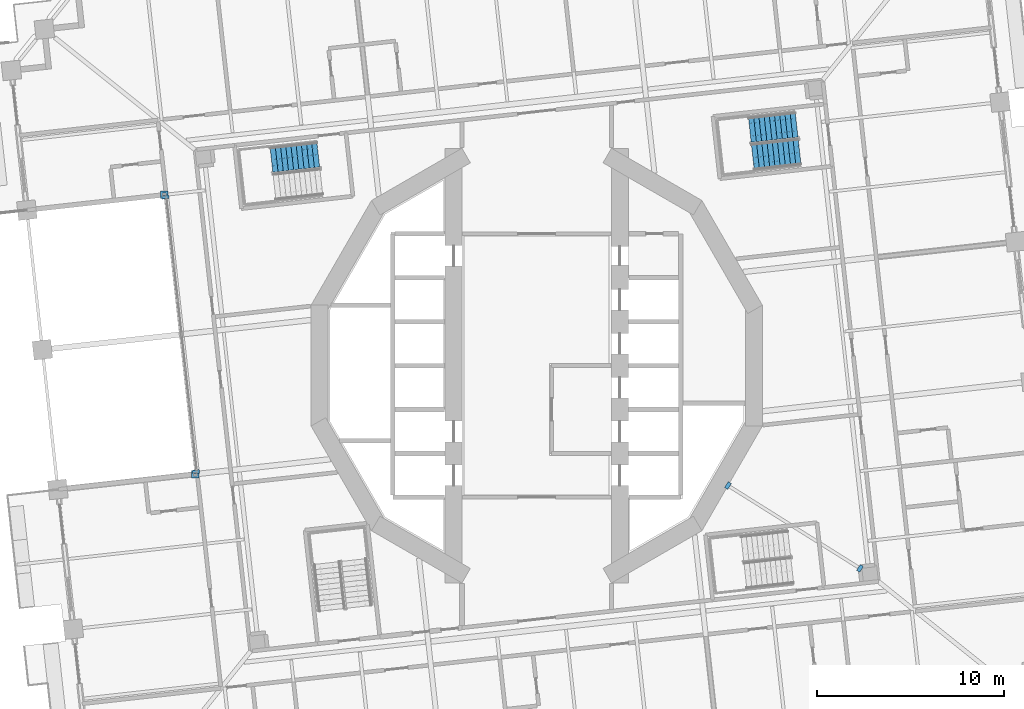
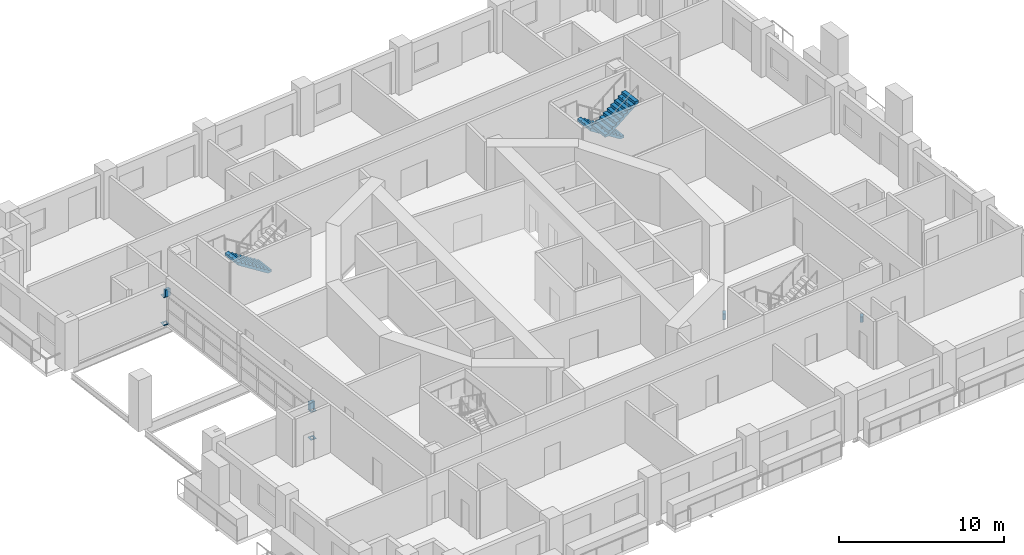
# One storey, part 14 of 21: 8 discrete accessories, 3 stair flights, 2 elements without a shape of their own.
"""IFC4 building model written with IfcOpenShell, lengths in metres."""

from ifc_helpers import new_model, si_unit, direction, frame, origin, place, context, subcontext, project, spatial, polyline, outline, extrude, material, layer, layer_set, type_object, element, aggregate, save


model = new_model("IFC4")

# Units and contexts
model_context = context("Model", 3, precision=1e-05, world=origin(), true_north=direction((0.0, 1.0)))
body_context = subcontext(model_context, "Body", "Model", "MODEL_VIEW")
ifc_project = project(units=[si_unit("LENGTHUNIT", "METRE"), si_unit("AREAUNIT", "SQUARE_METRE"), si_unit("VOLUMEUNIT", "CUBIC_METRE"), si_unit("PLANEANGLEUNIT", "RADIAN"), si_unit("MASSUNIT", "GRAM", prefix="KILO")], contexts=[model_context])

# Site, building, storey
site_placement = place(None, origin())
site = spatial("IfcSite", under=ifc_project, at=site_placement, CompositionType="ELEMENT")
building_placement = place(site_placement, origin())
building = spatial("IfcBuilding", under=site, at=building_placement, Name="Cantera Rosa Tower", CompositionType="ELEMENT")
storey_placement = place(building_placement, frame((0.0, 0.0, 69.10009765625)))
storey = spatial("IfcBuildingStorey", under=building, at=storey_placement, Name="L14", CompositionType="ELEMENT", Elevation=69.10009765625)

# Stair, stair flights
ifc_material_1 = material(Name="Concrete C35/45", Category="concrete")
stair_type = type_object("IfcStairType", Name="EXIT STAIR 1350 DOGLEG", PredefinedType="HALF_TURN_STAIR", material=ifc_material_1)
stair_1_placement = place(storey_placement, origin())
stair_1 = element("IfcStair", 1, at=stair_1_placement, inside=storey, type_object=stair_type, Name="L14 ST-11", PredefinedType="HALF_TURN_STAIR")
ifc_material_2 = material(Name="Concrete C35/45", Category="concrete")
stair_flight_type = type_object("IfcStairFlightType", Name="STAIR FLIGHT 1350 R20x190", PredefinedType="STRAIGHT", material=ifc_material_2)
stair_flight_1_placement = place(storey_placement, frame((13.90869140625, 12.89990234375, 0.0), z_axis=(0.0, 0.0, 1.0), x_axis=(-0.993896947056, -0.110312549749, 0.0)))
stair_flight_1 = element("IfcStairFlight", 2, at=stair_flight_1_placement, type_object=stair_flight_type, Name="ST-11 flight 1", NumberOfRisers=10, NumberOfTreads=9, PredefinedType="STRAIGHT", RiserHeight=0.19, TreadLength=0.28, context=body_context, shape_type="SweptSolid", body=[
    extrude(outline(polyline([(0.0, 0.0), (0.0, 0.18994140625), (0.280029296875, 0.18994140625), (0.280029296875, 0.3798828125), (0.56005859375, 0.3798828125), (0.56005859375, 0.570068359375), (0.840087890625, 0.570068359375), (0.840087890625, 0.760009765625), (1.1201171875, 0.760009765625), (1.1201171875, 0.949951171875), (1.39990234375, 0.949951171875), (1.39990234375, 1.139892578125), (1.679931640625, 1.139892578125), (1.679931640625, 1.330078125), (1.9599609375, 1.330078125), (1.9599609375, 1.52001953125), (2.239990234375, 1.52001953125), (2.239990234375, 1.7099609375), (2.52001953125, 1.7099609375), (2.52001953125, 1.89990234375), (2.52001953125, 1.52880859375), (0.266845703125, 0.0), (0.0, 0.0)])), frame((0.0, 0.675048828125, 0.0), z_axis=(0.0, -1.0, 0.0), x_axis=(1.0, 0.0, 0.0)), (0.0, 0.0, 1.0), 0.3359375),
    extrude(outline(polyline([(0.0, 0.0), (0.0, 0.18994140625), (0.280029296875, 0.18994140625), (0.280029296875, 0.3798828125), (0.56005859375, 0.3798828125), (0.56005859375, 0.570068359375), (0.840087890625, 0.570068359375), (0.840087890625, 0.760009765625), (1.1201171875, 0.760009765625), (1.1201171875, 0.949951171875), (1.39990234375, 0.949951171875), (1.39990234375, 1.139892578125), (1.679931640625, 1.139892578125), (1.679931640625, 1.330078125), (1.9599609375, 1.330078125), (1.9599609375, 1.52001953125), (2.239990234375, 1.52001953125), (2.239990234375, 1.7099609375), (2.52001953125, 1.7099609375), (2.52001953125, 1.89990234375), (2.52001953125, 1.52880859375), (0.266845703125, 0.0), (0.0, 0.0)])), frame((0.0, 0.337158203125, 0.0), z_axis=(0.0, -1.0, 0.0), x_axis=(1.0, 0.0, 0.0)), (0.0, 0.0, 1.0), 0.3359375),
    extrude(outline(polyline([(0.0, 0.0), (0.0, 0.18994140625), (0.280029296875, 0.18994140625), (0.280029296875, 0.3798828125), (0.56005859375, 0.3798828125), (0.56005859375, 0.570068359375), (0.840087890625, 0.570068359375), (0.840087890625, 0.760009765625), (1.1201171875, 0.760009765625), (1.1201171875, 0.949951171875), (1.39990234375, 0.949951171875), (1.39990234375, 1.139892578125), (1.679931640625, 1.139892578125), (1.679931640625, 1.330078125), (1.9599609375, 1.330078125), (1.9599609375, 1.52001953125), (2.239990234375, 1.52001953125), (2.239990234375, 1.7099609375), (2.52001953125, 1.7099609375), (2.52001953125, 1.89990234375), (2.52001953125, 1.52880859375), (0.266845703125, 0.0), (0.0, 0.0)])), frame((0.0, -0.000732421875, 0.0), z_axis=(0.0, -1.0, 0.0), x_axis=(1.0, 0.0, 0.0)), (0.0, 0.0, 1.0), 0.3359375),
    extrude(outline(polyline([(0.0, 0.0), (0.0, 0.18994140625), (0.280029296875, 0.18994140625), (0.280029296875, 0.3798828125), (0.56005859375, 0.3798828125), (0.56005859375, 0.570068359375), (0.840087890625, 0.570068359375), (0.840087890625, 0.760009765625), (1.1201171875, 0.760009765625), (1.1201171875, 0.949951171875), (1.39990234375, 0.949951171875), (1.39990234375, 1.139892578125), (1.679931640625, 1.139892578125), (1.679931640625, 1.330078125), (1.9599609375, 1.330078125), (1.9599609375, 1.52001953125), (2.239990234375, 1.52001953125), (2.239990234375, 1.7099609375), (2.52001953125, 1.7099609375), (2.52001953125, 1.89990234375), (2.52001953125, 1.52880859375), (0.266845703125, 0.0), (0.0, 0.0)])), frame((0.0, -0.338623046875, 0.0), z_axis=(0.0, -1.0, 0.0), x_axis=(1.0, 0.0, 0.0)), (0.0, 0.0, 1.0), 0.3359375),
])
stair_flight_2_placement = place(storey_placement, frame((11.569580078125, 11.131103515625, 1.89990234375), z_axis=(0.0, 0.0, 1.0), x_axis=(0.993896947056, 0.110312549749, 0.0)))
stair_flight_2 = element("IfcStairFlight", 3, at=stair_flight_2_placement, type_object=stair_flight_type, Name="ST-11 flight 2", NumberOfRisers=10, NumberOfTreads=9, PredefinedType="STRAIGHT", RiserHeight=0.19, TreadLength=0.28, context=body_context, shape_type="SweptSolid", body=[
    extrude(outline(polyline([(0.0, 0.0), (0.0, 0.18994140625), (0.280029296875, 0.18994140625), (0.280029296875, 0.3798828125), (0.56005859375, 0.3798828125), (0.56005859375, 0.570068359375), (0.840087890625, 0.570068359375), (0.840087890625, 0.760009765625), (1.1201171875, 0.760009765625), (1.1201171875, 0.949951171875), (1.39990234375, 0.949951171875), (1.39990234375, 1.139892578125), (1.679931640625, 1.139892578125), (1.679931640625, 1.330078125), (1.9599609375, 1.330078125), (1.9599609375, 1.52001953125), (2.239990234375, 1.52001953125), (2.239990234375, 1.7099609375), (2.52001953125, 1.7099609375), (2.52001953125, 1.89990234375), (2.52001953125, 1.52880859375), (0.266845703125, 0.0), (0.0, 0.0)])), frame((0.0, 0.675048828125, 0.0), z_axis=(0.0, -1.0, 0.0), x_axis=(1.0, 0.0, 0.0)), (0.0, 0.0, 1.0), 0.3359375),
    extrude(outline(polyline([(0.0, 0.0), (0.0, 0.18994140625), (0.280029296875, 0.18994140625), (0.280029296875, 0.3798828125), (0.56005859375, 0.3798828125), (0.56005859375, 0.570068359375), (0.840087890625, 0.570068359375), (0.840087890625, 0.760009765625), (1.1201171875, 0.760009765625), (1.1201171875, 0.949951171875), (1.39990234375, 0.949951171875), (1.39990234375, 1.139892578125), (1.679931640625, 1.139892578125), (1.679931640625, 1.330078125), (1.9599609375, 1.330078125), (1.9599609375, 1.52001953125), (2.239990234375, 1.52001953125), (2.239990234375, 1.7099609375), (2.52001953125, 1.7099609375), (2.52001953125, 1.89990234375), (2.52001953125, 1.52880859375), (0.266845703125, 0.0), (0.0, 0.0)])), frame((0.0, 0.337158203125, 0.0), z_axis=(0.0, -1.0, 0.0), x_axis=(1.0, 0.0, 0.0)), (0.0, 0.0, 1.0), 0.3359375),
    extrude(outline(polyline([(0.0, 0.0), (0.0, 0.18994140625), (0.280029296875, 0.18994140625), (0.280029296875, 0.3798828125), (0.56005859375, 0.3798828125), (0.56005859375, 0.570068359375), (0.840087890625, 0.570068359375), (0.840087890625, 0.760009765625), (1.1201171875, 0.760009765625), (1.1201171875, 0.949951171875), (1.39990234375, 0.949951171875), (1.39990234375, 1.139892578125), (1.679931640625, 1.139892578125), (1.679931640625, 1.330078125), (1.9599609375, 1.330078125), (1.9599609375, 1.52001953125), (2.239990234375, 1.52001953125), (2.239990234375, 1.7099609375), (2.52001953125, 1.7099609375), (2.52001953125, 1.89990234375), (2.52001953125, 1.52880859375), (0.266845703125, 0.0), (0.0, 0.0)])), frame((0.0, -0.000732421875, 0.0), z_axis=(0.0, -1.0, 0.0), x_axis=(1.0, 0.0, 0.0)), (0.0, 0.0, 1.0), 0.3359375),
    extrude(outline(polyline([(0.0, 0.0), (0.0, 0.18994140625), (0.280029296875, 0.18994140625), (0.280029296875, 0.3798828125), (0.56005859375, 0.3798828125), (0.56005859375, 0.570068359375), (0.840087890625, 0.570068359375), (0.840087890625, 0.760009765625), (1.1201171875, 0.760009765625), (1.1201171875, 0.949951171875), (1.39990234375, 0.949951171875), (1.39990234375, 1.139892578125), (1.679931640625, 1.139892578125), (1.679931640625, 1.330078125), (1.9599609375, 1.330078125), (1.9599609375, 1.52001953125), (2.239990234375, 1.52001953125), (2.239990234375, 1.7099609375), (2.52001953125, 1.7099609375), (2.52001953125, 1.89990234375), (2.52001953125, 1.52880859375), (0.266845703125, 0.0), (0.0, 0.0)])), frame((0.0, -0.338623046875, 0.0), z_axis=(0.0, -1.0, 0.0), x_axis=(1.0, 0.0, 0.0)), (0.0, 0.0, 1.0), 0.3359375),
])
aggregate(stair_1, [stair_flight_1, stair_flight_2])

# Stair, stair flight
stair_2_placement = place(storey_placement, origin())
stair_2 = element("IfcStair", 4, at=stair_2_placement, inside=storey, type_object=stair_type, Name="L14 ST-12", PredefinedType="HALF_TURN_STAIR")
stair_flight_3_placement = place(storey_placement, frame((-11.691162109375, 11.2998046875, 0.0), z_axis=(0.0, 0.0, 1.0), x_axis=(-0.993896947056, -0.110312549749, 0.0)))
stair_flight_3 = element("IfcStairFlight", 5, at=stair_flight_3_placement, type_object=stair_flight_type, Name="ST-12 flight 1", NumberOfRisers=10, NumberOfTreads=9, PredefinedType="STRAIGHT", RiserHeight=0.19, TreadLength=0.28, context=body_context, shape_type="SweptSolid", body=[
    extrude(outline(polyline([(0.0, 0.0), (0.0, 0.18994140625), (0.280029296875, 0.18994140625), (0.280029296875, 0.3798828125), (0.56005859375, 0.3798828125), (0.56005859375, 0.570068359375), (0.840087890625, 0.570068359375), (0.840087890625, 0.760009765625), (1.1201171875, 0.760009765625), (1.1201171875, 0.949951171875), (1.39990234375, 0.949951171875), (1.39990234375, 1.139892578125), (1.679931640625, 1.139892578125), (1.679931640625, 1.330078125), (1.9599609375, 1.330078125), (1.9599609375, 1.52001953125), (2.239990234375, 1.52001953125), (2.239990234375, 1.7099609375), (2.52001953125, 1.7099609375), (2.52001953125, 1.89990234375), (2.52001953125, 1.52880859375), (0.266845703125, 0.0), (0.0, 0.0)])), frame((0.0, 0.675048828125, 0.0), z_axis=(0.0, -1.0, 0.0), x_axis=(1.0, 0.0, 0.0)), (0.0, 0.0, 1.0), 0.3359375),
    extrude(outline(polyline([(0.0, 0.0), (0.0, 0.18994140625), (0.280029296875, 0.18994140625), (0.280029296875, 0.3798828125), (0.56005859375, 0.3798828125), (0.56005859375, 0.570068359375), (0.840087890625, 0.570068359375), (0.840087890625, 0.760009765625), (1.1201171875, 0.760009765625), (1.1201171875, 0.949951171875), (1.39990234375, 0.949951171875), (1.39990234375, 1.139892578125), (1.679931640625, 1.139892578125), (1.679931640625, 1.330078125), (1.9599609375, 1.330078125), (1.9599609375, 1.52001953125), (2.239990234375, 1.52001953125), (2.239990234375, 1.7099609375), (2.52001953125, 1.7099609375), (2.52001953125, 1.89990234375), (2.52001953125, 1.52880859375), (0.266845703125, 0.0), (0.0, 0.0)])), frame((0.0, 0.337158203125, 0.0), z_axis=(0.0, -1.0, 0.0), x_axis=(1.0, 0.0, 0.0)), (0.0, 0.0, 1.0), 0.3359375),
    extrude(outline(polyline([(0.0, 0.0), (0.0, 0.18994140625), (0.280029296875, 0.18994140625), (0.280029296875, 0.3798828125), (0.56005859375, 0.3798828125), (0.56005859375, 0.570068359375), (0.840087890625, 0.570068359375), (0.840087890625, 0.760009765625), (1.1201171875, 0.760009765625), (1.1201171875, 0.949951171875), (1.39990234375, 0.949951171875), (1.39990234375, 1.139892578125), (1.679931640625, 1.139892578125), (1.679931640625, 1.330078125), (1.9599609375, 1.330078125), (1.9599609375, 1.52001953125), (2.239990234375, 1.52001953125), (2.239990234375, 1.7099609375), (2.52001953125, 1.7099609375), (2.52001953125, 1.89990234375), (2.52001953125, 1.52880859375), (0.266845703125, 0.0), (0.0, 0.0)])), frame((0.0, -0.000732421875, 0.0), z_axis=(0.0, -1.0, 0.0), x_axis=(1.0, 0.0, 0.0)), (0.0, 0.0, 1.0), 0.3359375),
    extrude(outline(polyline([(0.0, 0.0), (0.0, 0.18994140625), (0.280029296875, 0.18994140625), (0.280029296875, 0.3798828125), (0.56005859375, 0.3798828125), (0.56005859375, 0.570068359375), (0.840087890625, 0.570068359375), (0.840087890625, 0.760009765625), (1.1201171875, 0.760009765625), (1.1201171875, 0.949951171875), (1.39990234375, 0.949951171875), (1.39990234375, 1.139892578125), (1.679931640625, 1.139892578125), (1.679931640625, 1.330078125), (1.9599609375, 1.330078125), (1.9599609375, 1.52001953125), (2.239990234375, 1.52001953125), (2.239990234375, 1.7099609375), (2.52001953125, 1.7099609375), (2.52001953125, 1.89990234375), (2.52001953125, 1.52880859375), (0.266845703125, 0.0), (0.0, 0.0)])), frame((0.0, -0.338623046875, 0.0), z_axis=(0.0, -1.0, 0.0), x_axis=(1.0, 0.0, 0.0)), (0.0, 0.0, 1.0), 0.3359375),
])
aggregate(stair_2, [stair_flight_3])

# Discrete accessories
ifc_material_3 = material(Name="Steel ASTM A992 (Fy 345 MPa)", Category="steel")
ifc_layer = layer(ifc_material_3, 0.0400390625)
ifc_layer_set = layer_set([ifc_layer], Name="STEEL BEARING PLATE 40")
discrete_accessory_type = type_object("IfcDiscreteAccessoryType", Name="STEEL BEARING PLATE 40", PredefinedType="ANCHORPLATE", material=ifc_layer_set)
discrete_accessory_1_placement = place(storey_placement, frame((0.0, 0.0, -0.72802734375)))
element("IfcDiscreteAccessory", 6, at=discrete_accessory_1_placement, inside=storey, type_object=discrete_accessory_type, Name="BEARING PLATE PG-Z1-01 end 1 L14", PredefinedType="ANCHORPLATE", context=body_context, shape_type="SweptSolid", body=[
    extrude(outline(polyline([(17.12060546875, -10.952392578125), (17.2900390625, -11.05859375), (17.484619140625, -10.74853515625), (17.315185546875, -10.642333984375), (17.12060546875, -10.952392578125)])), origin(), (0.0, 0.0, 1.0), 0.427978515625),
])
discrete_accessory_2_placement = place(storey_placement, frame((0.0, 0.0, -0.72802734375)))
element("IfcDiscreteAccessory", 7, at=discrete_accessory_2_placement, inside=storey, type_object=discrete_accessory_type, Name="BEARING PLATE PG-Z1-01 end 2 L14", PredefinedType="ANCHORPLATE", context=body_context, shape_type="SweptSolid", body=[
    extrude(outline(polyline([(10.41796875, -6.317138671875), (10.248291015625, -6.210693359375), (10.053955078125, -6.52099609375), (10.223388671875, -6.627197265625), (10.41796875, -6.317138671875)])), origin(), (0.0, 0.0, 1.0), 0.427978515625),
])
discrete_accessory_3_placement = place(storey_placement, origin())
element("IfcDiscreteAccessory", 8, at=discrete_accessory_3_placement, inside=storey, type_object=discrete_accessory_type, Name="POST PLATE L14-1F", PredefinedType="ANCHORPLATE", context=body_context, shape_type="SweptSolid", body=[
    extrude(outline(polyline([(-20.129638671875, 8.937255859375), (-19.7294921875, 8.937255859375), (-19.7294921875, 9.33740234375), (-20.129638671875, 9.33740234375), (-20.129638671875, 8.937255859375)]), holes=[polyline([(-20.029541015625, 9.037353515625), (-19.82958984375, 9.037353515625), (-19.82958984375, 9.2373046875), (-20.029541015625, 9.2373046875), (-20.029541015625, 9.037353515625)])]), origin(), (0.0, 0.0, 1.0), 0.039794921875),
])
discrete_accessory_4_placement = place(storey_placement, frame((0.0, 0.0, 2.06591796875)))
element("IfcDiscreteAccessory", 9, at=discrete_accessory_4_placement, inside=storey, type_object=discrete_accessory_type, Name="POST PLATE L14-1T", PredefinedType="ANCHORPLATE", context=body_context, shape_type="SweptSolid", body=[
    extrude(outline(polyline([(-20.129638671875, 8.937255859375), (-19.7294921875, 8.937255859375), (-19.7294921875, 9.33740234375), (-20.129638671875, 9.33740234375), (-20.129638671875, 8.937255859375)]), holes=[polyline([(-20.029541015625, 9.037353515625), (-19.82958984375, 9.037353515625), (-19.82958984375, 9.2373046875), (-20.029541015625, 9.2373046875), (-20.029541015625, 9.037353515625)])]), origin(), (0.0, 0.0, 1.0), 0.0400390625),
])
discrete_accessory_5_placement = place(storey_placement, origin())
element("IfcDiscreteAccessory", 10, at=discrete_accessory_5_placement, inside=storey, type_object=discrete_accessory_type, Name="POST PLATE L14-2F", PredefinedType="ANCHORPLATE", context=body_context, shape_type="SweptSolid", body=[
    extrude(outline(polyline([(-18.470458984375, -6.010986328125), (-18.070556640625, -6.010986328125), (-18.070556640625, -5.61083984375), (-18.470458984375, -5.61083984375), (-18.470458984375, -6.010986328125)]), holes=[polyline([(-18.37060546875, -5.910888671875), (-18.17041015625, -5.910888671875), (-18.17041015625, -5.7109375), (-18.37060546875, -5.7109375), (-18.37060546875, -5.910888671875)])]), origin(), (0.0, 0.0, 1.0), 0.039794921875),
])
discrete_accessory_6_placement = place(storey_placement, frame((0.0, 0.0, 2.06591796875)))
element("IfcDiscreteAccessory", 11, at=discrete_accessory_6_placement, inside=storey, type_object=discrete_accessory_type, Name="POST PLATE L14-2T", PredefinedType="ANCHORPLATE", context=body_context, shape_type="SweptSolid", body=[
    extrude(outline(polyline([(-18.470458984375, -6.010986328125), (-18.070556640625, -6.010986328125), (-18.070556640625, -5.61083984375), (-18.470458984375, -5.61083984375), (-18.470458984375, -6.010986328125)]), holes=[polyline([(-18.37060546875, -5.910888671875), (-18.17041015625, -5.910888671875), (-18.17041015625, -5.7109375), (-18.37060546875, -5.7109375), (-18.37060546875, -5.910888671875)])]), origin(), (0.0, 0.0, 1.0), 0.0400390625),
])
discrete_accessory_7_placement = place(storey_placement, frame((0.0, 0.0, 2.10595703125)))
element("IfcDiscreteAccessory", 12, at=discrete_accessory_7_placement, inside=storey, type_object=discrete_accessory_type, Name="LINTEL PLATE L14-1", PredefinedType="ANCHORPLATE", context=body_context, shape_type="SweptSolid", body=[
    extrude(outline(polyline([(-19.673095703125, 8.939453125), (-19.6953125, 9.13818359375), (-20.05908203125, 9.097900390625), (-20.037109375, 8.89892578125), (-19.673095703125, 8.939453125)])), origin(), (0.0, 0.0, 1.0), 0.52783203125),
])
discrete_accessory_8_placement = place(storey_placement, frame((0.0, 0.0, 2.10595703125)))
element("IfcDiscreteAccessory", 13, at=discrete_accessory_8_placement, inside=storey, type_object=discrete_accessory_type, Name="LINTEL PLATE L14-2", PredefinedType="ANCHORPLATE", context=body_context, shape_type="SweptSolid", body=[
    extrude(outline(polyline([(-18.427490234375, -5.60205078125), (-18.405517578125, -5.80078125), (-18.041748046875, -5.760498046875), (-18.063720703125, -5.5615234375), (-18.427490234375, -5.60205078125)])), origin(), (0.0, 0.0, 1.0), 0.52783203125),
])

save(model, "model.ifc")
